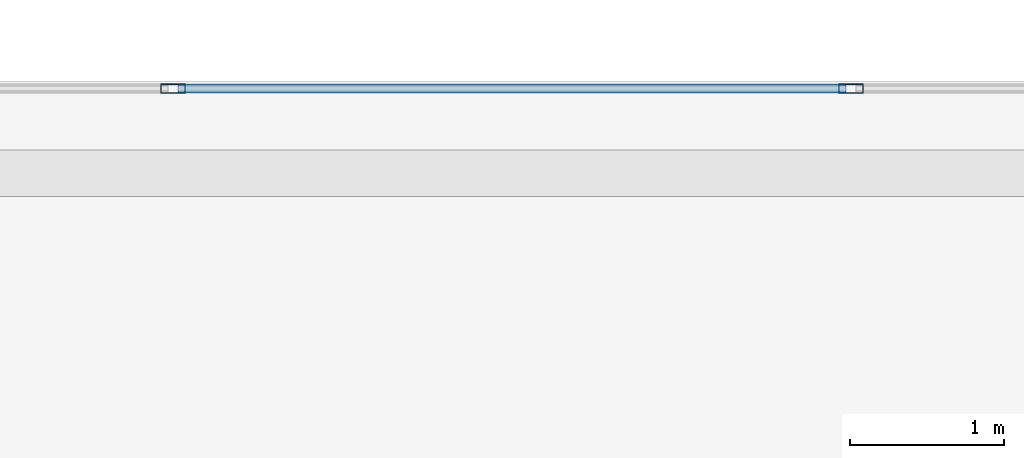
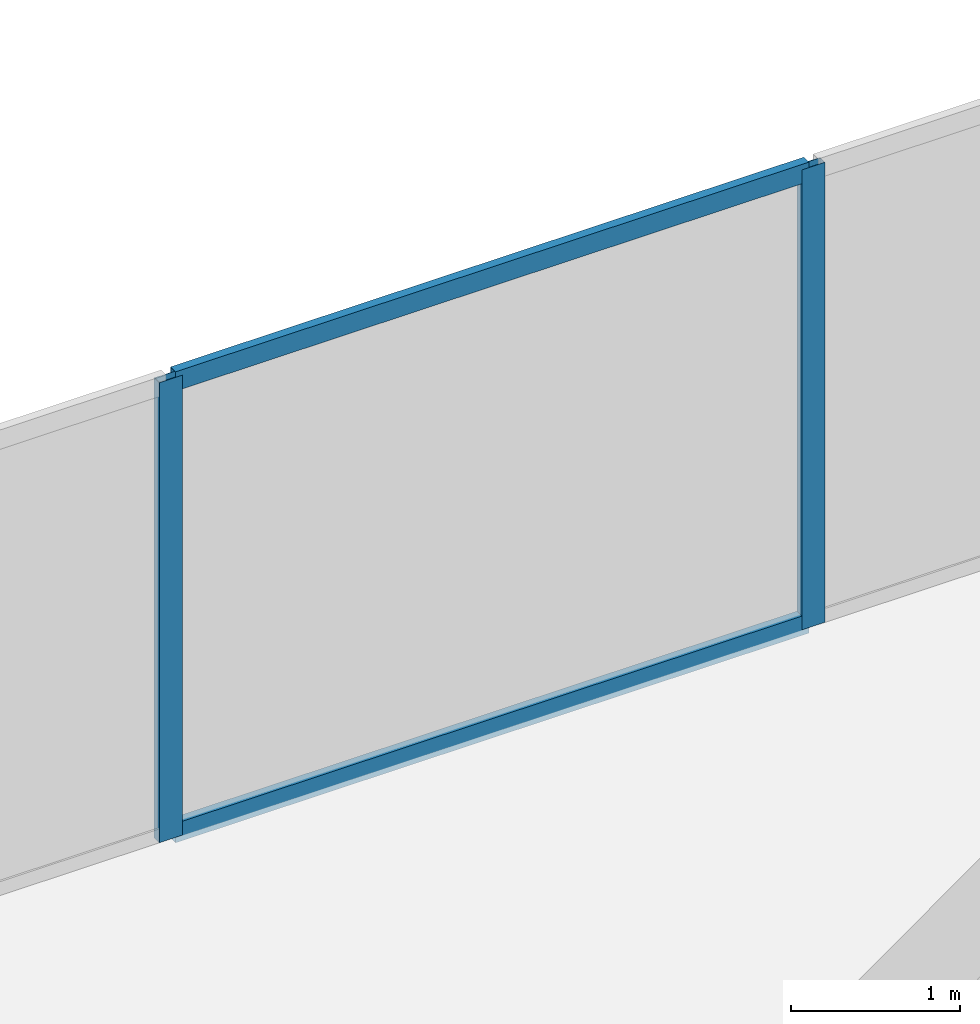
# One storey, part 22 of 33: 4 members, 1 element without a shape of its own.
"""IFC4 building model written with IfcOpenShell, lengths in metres."""

from ifc_helpers import new_model, si_unit, direction, frame, origin, origin_2d, place, context, subcontext, project, spatial, hollow_rectangle, extrude, material, layer, layer_set, material_profile, profile_set, type_object, element, aggregate, save


model = new_model("IFC4")

# Units and contexts
model_context = context("Model", 3, precision=1e-05, world=origin(), true_north=direction((0.0, 1.0)))
body_context = subcontext(model_context, "Body", "Model", "MODEL_VIEW")
ifc_project = project(units=[si_unit("LENGTHUNIT", "METRE"), si_unit("AREAUNIT", "SQUARE_METRE"), si_unit("VOLUMEUNIT", "CUBIC_METRE"), si_unit("PLANEANGLEUNIT", "RADIAN"), si_unit("MASSUNIT", "GRAM", prefix="KILO")], contexts=[model_context])

# Site, building, storey
site_placement = place(None, origin())
site = spatial("IfcSite", under=ifc_project, at=site_placement, CompositionType="ELEMENT")
building_placement = place(site_placement, origin())
building = spatial("IfcBuilding", under=site, at=building_placement, Name="Catumbela Crestline Tower", CompositionType="ELEMENT")
storey_placement = place(building_placement, frame((0.0, 0.0, 118.8)))
storey = spatial("IfcBuildingStorey", under=building, at=storey_placement, Name="L30", CompositionType="ELEMENT", Elevation=118.8)

# Curtain wall, members
ifc_material = material(Name="Aluminium alloy AW-6060-T66", Category="aluminium")
ifc_layer = layer(ifc_material, 0.18, Name="Aluminium alloy AW-6060-T66")
ifc_layer_set = layer_set([ifc_layer], Name="Aluminium alloy AW-6060-T66")
curtain_wall_type = type_object("IfcCurtainWallType", Name="CWU-Z2", PredefinedType="USERDEFINED", material=ifc_layer_set)
curtain_wall_placement = place(storey_placement, origin())
curtain_wall = element("IfcCurtainWall", 1, at=curtain_wall_placement, inside=storey, type_object=curtain_wall_type, Name="L30 Unitised Curtain Wall CW-L30-E7S1", ObjectType="UNITISED", PredefinedType="USERDEFINED")
ifc_material_profile_1 = material_profile(ifc_material, hollow_rectangle(XDim=0.06, YDim=0.16, WallThickness=0.004, at=origin_2d()), Name="ALU 160x60x4")
ifc_profile_set_1 = profile_set([ifc_material_profile_1], Name="Aluminium alloy AW-6060-T66")
member_type_1 = type_object("IfcMemberType", Name="MUL-160X60", PredefinedType="MULLION", material=ifc_profile_set_1)
member_1_placement = place(storey_placement, frame((29.9, 47.95, 0.0), z_axis=(0.0, 0.0, 1.0), x_axis=(0.0, -1.0, 0.0)))
member_1 = element("IfcMember", 2, at=member_1_placement, type_object=member_type_1, Name="CWU-Z2 mullion 5", PredefinedType="MULLION", context=body_context, shape_type="SweptSolid", body=[
    extrude(hollow_rectangle(XDim=0.06, YDim=0.16, WallThickness=0.004, at=origin_2d()), origin(), (0.0, 0.0, 1.0), 3.33),
])
member_2_placement = place(storey_placement, frame((25.5, 47.95, 0.0), z_axis=(0.0, 0.0, 1.0), x_axis=(0.0, -1.0, 0.0)))
member_2 = element("IfcMember", 3, at=member_2_placement, type_object=member_type_1, Name="CWU-Z2 mullion 6", PredefinedType="MULLION", context=body_context, shape_type="SweptSolid", body=[
    extrude(hollow_rectangle(XDim=0.06, YDim=0.16, WallThickness=0.004, at=origin_2d()), origin(), (0.0, 0.0, 1.0), 3.33),
])
ifc_material_profile_2 = material_profile(ifc_material, hollow_rectangle(XDim=0.06, YDim=0.14, WallThickness=0.004, at=origin_2d()), Name="ALU 140x60x4")
ifc_profile_set_2 = profile_set([ifc_material_profile_2], Name="Aluminium alloy AW-6060-T66")
member_type_2 = type_object("IfcMemberType", Name="TRN-140X60", PredefinedType="USERDEFINED", material=ifc_profile_set_2)
member_3_placement = place(storey_placement, frame((29.8675, 47.95, 0.03), z_axis=(-1.0, 0.0, 0.0), x_axis=(0.0, -1.0, 0.0)))
member_3 = element("IfcMember", 4, at=member_3_placement, type_object=member_type_2, Name="CWU-Z2 transom 5.1", ObjectType="TRANSOM", PredefinedType="USERDEFINED", context=body_context, shape_type="SweptSolid", body=[
    extrude(hollow_rectangle(XDim=0.06, YDim=0.14, WallThickness=0.004, at=origin_2d()), origin(), (0.0, 0.0, 1.0), 4.335),
])
member_4_placement = place(storey_placement, frame((29.8675, 47.95, 3.3), z_axis=(-1.0, 0.0, 0.0), x_axis=(0.0, -1.0, 0.0)))
member_4 = element("IfcMember", 5, at=member_4_placement, type_object=member_type_2, Name="CWU-Z2 transom 5.2", ObjectType="TRANSOM", PredefinedType="USERDEFINED", context=body_context, shape_type="SweptSolid", body=[
    extrude(hollow_rectangle(XDim=0.06, YDim=0.14, WallThickness=0.004, at=origin_2d()), origin(), (0.0, 0.0, 1.0), 4.335),
])
aggregate(curtain_wall, [member_1, member_2, member_3, member_4])

save(model, "model.ifc")
